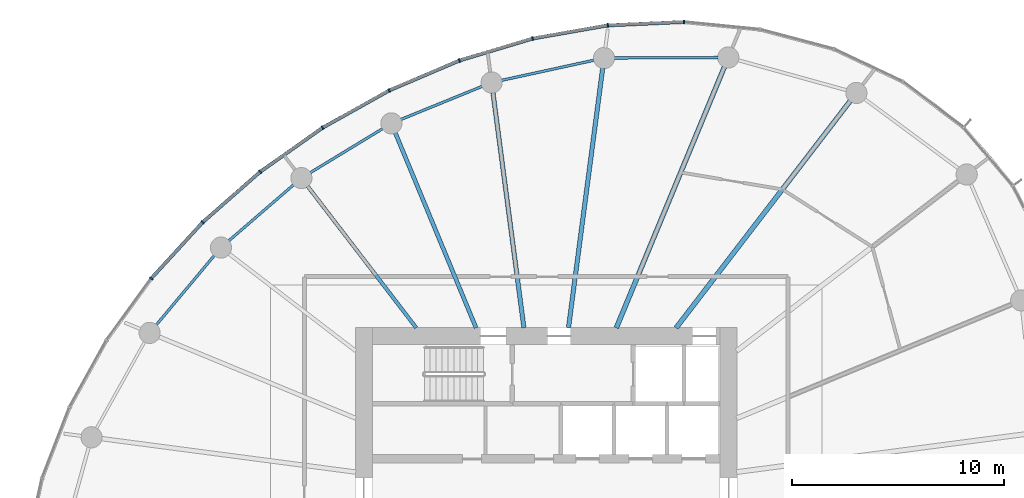
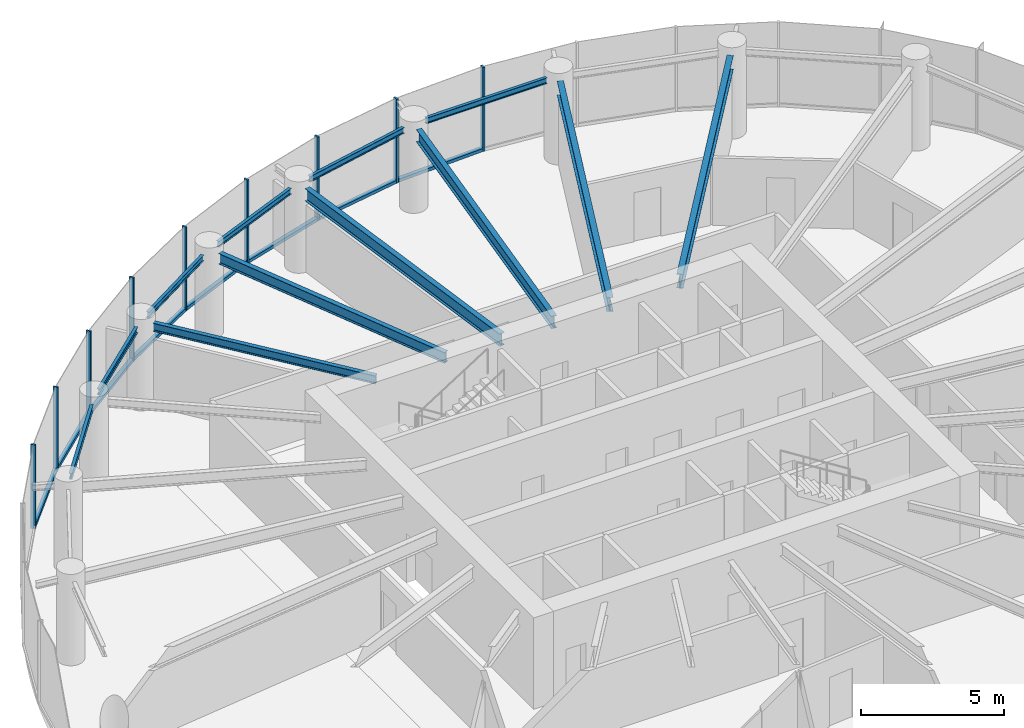
# One storey, part 5 of 14: 17 members, 12 beams, 3 elements without a shape of their own.
"""IFC4 building model written with IfcOpenShell, lengths in metres."""

from ifc_helpers import new_model, si_unit, direction, frame, origin, origin_2d, place, context, subcontext, project, spatial, rectangle, i_section, extrude, source, transform, mapped, material, layer, layer_set, material_profile, profile_set, type_object, element, aggregate, save


model = new_model("IFC4")

# Units and contexts
model_context = context("Model", 3, precision=1e-05, world=origin(), true_north=direction((0.0, 1.0)))
body_context = subcontext(model_context, "Body", "Model", "MODEL_VIEW")
ifc_project = project(units=[si_unit("LENGTHUNIT", "METRE"), si_unit("AREAUNIT", "SQUARE_METRE"), si_unit("VOLUMEUNIT", "CUBIC_METRE"), si_unit("PLANEANGLEUNIT", "RADIAN"), si_unit("MASSUNIT", "GRAM", prefix="KILO")], contexts=[model_context])

# Site, building, storey
site_placement = place(None, origin())
site = spatial("IfcSite", under=ifc_project, at=site_placement, CompositionType="ELEMENT")
building_placement = place(site_placement, origin())
building = spatial("IfcBuilding", under=site, at=building_placement, Name="Spindrift Exchange Tower", CompositionType="ELEMENT")
storey_placement = place(building_placement, frame((0.0, 0.0, 140.89990234375)))
storey = spatial("IfcBuildingStorey", under=building, at=storey_placement, Name="L33", CompositionType="ELEMENT", Elevation=140.89990234375)

# Beams
ifc_material_1 = material(Name="Steel Grade 300", Category="steel")
ifc_material_profile_1 = material_profile(ifc_material_1, i_section(OverallWidth=0.1240234375, OverallDepth=0.248046875, WebThickness=0.0048828125, FlangeThickness=0.008056640625, FilletRadius=0.011962890625, at=origin_2d()), Name="250UB25.7")
ifc_profile_set_1 = profile_set([ifc_material_profile_1], Name="Steel Grade 300")
beam_type_1 = type_object("IfcBeamType", Name="Edge Beam 250UB25.7 Steel Grade 300", PredefinedType="SPANDREL", material=ifc_profile_set_1)
shared_shape_1 = source(origin(), body_context, "Body", "SweptSolid", [
    extrude(i_section(OverallWidth=0.1240234375, OverallDepth=0.248046875, WebThickness=0.0048828125, FlangeThickness=0.008056640625, FilletRadius=0.011962890625, at=origin_2d()), origin(), (0.0, 0.0, 1.0), 4.901123046875),
])
beam_1_placement = place(storey_placement, frame((60.10693359375, 68.728759765625, 3.4560546875), z_axis=(-0.999990609444, -0.004333707747, 0.0), x_axis=(0.004333707747, -0.999990609444, 0.0)))
element("IfcBeam", 1, at=beam_1_placement, inside=storey, type_object=beam_type_1, Name="L33 edge beam E05", PredefinedType="SPANDREL", context=body_context, shape_type="MappedRepresentation", body=[
    mapped(shared_shape_1, transform((0.0, 0.0, 0.0), scale=1.0)),
])
shared_shape_2 = source(origin(), body_context, "Body", "SweptSolid", [
    extrude(i_section(OverallWidth=0.1240234375, OverallDepth=0.248046875, WebThickness=0.0048828125, FlangeThickness=0.008056640625, FilletRadius=0.011962890625, at=origin_2d()), origin(), (0.0, 0.0, 1.0), 4.464111328125),
])
beam_2_placement = place(storey_placement, frame((54.2568359375, 68.603271484375, 3.4560546875), z_axis=(-0.977095837978, -0.212799726048, 0.0), x_axis=(0.212799726048, -0.977095837978, 0.0)))
element("IfcBeam", 2, at=beam_2_placement, inside=storey, type_object=beam_type_1, Name="L33 edge beam E06", PredefinedType="SPANDREL", context=body_context, shape_type="MappedRepresentation", body=[
    mapped(shared_shape_2, transform((0.0, 0.0, 0.0), scale=1.0)),
])
shared_shape_3 = source(origin(), body_context, "Body", "SweptSolid", [
    extrude(i_section(OverallWidth=0.1240234375, OverallDepth=0.248046875, WebThickness=0.0048828125, FlangeThickness=0.008056640625, FilletRadius=0.011962890625, at=origin_2d()), origin(), (0.0, 0.0, 1.0), 4.143798828125),
])
beam_3_placement = place(storey_placement, frame((48.9814453125, 67.3701171875, 3.4560546875), z_axis=(-0.926113706975, -0.377244485385, 0.0), x_axis=(0.377244485385, -0.926113706975, 0.0)))
element("IfcBeam", 3, at=beam_3_placement, inside=storey, type_object=beam_type_1, Name="L33 edge beam E07", PredefinedType="SPANDREL", context=body_context, shape_type="MappedRepresentation", body=[
    mapped(shared_shape_3, transform((0.0, 0.0, 0.0), scale=1.0)),
])
shared_shape_4 = source(origin(), body_context, "Body", "SweptSolid", [
    extrude(i_section(OverallWidth=0.1240234375, OverallDepth=0.248046875, WebThickness=0.0048828125, FlangeThickness=0.008056640625, FilletRadius=0.011962890625, at=origin_2d()), origin(), (0.0, 0.0, 1.0), 4.00634765625),
])
beam_4_placement = place(storey_placement, frame((44.2890625, 65.376220703125, 3.4560546875), z_axis=(-0.854331495603, -0.519728482596, 0.0), x_axis=(0.519728482596, -0.854331495603, 0.0)))
element("IfcBeam", 4, at=beam_4_placement, inside=storey, type_object=beam_type_1, Name="L33 edge beam E08", PredefinedType="SPANDREL", context=body_context, shape_type="MappedRepresentation", body=[
    mapped(shared_shape_4, transform((0.0, 0.0, 0.0), scale=1.0)),
])
shared_shape_5 = source(origin(), body_context, "Body", "SweptSolid", [
    extrude(i_section(OverallWidth=0.1240234375, OverallDepth=0.248046875, WebThickness=0.0048828125, FlangeThickness=0.008056640625, FilletRadius=0.011962890625, at=origin_2d()), origin(), (0.0, 0.0, 1.0), 4.052001953125),
])
beam_5_placement = place(storey_placement, frame((40.093017578125, 62.730712890625, 3.4560546875), z_axis=(-0.756715968535, -0.65374379, 0.0), x_axis=(0.65374379, -0.756715968535, 0.0)))
element("IfcBeam", 5, at=beam_5_placement, inside=storey, type_object=beam_type_1, Name="L33 edge beam E09", PredefinedType="SPANDREL", context=body_context, shape_type="MappedRepresentation", body=[
    mapped(shared_shape_5, transform((0.0, 0.0, 0.0), scale=1.0)),
])
shared_shape_6 = source(origin(), body_context, "Body", "SweptSolid", [
    extrude(i_section(OverallWidth=0.1240234375, OverallDepth=0.248046875, WebThickness=0.0048828125, FlangeThickness=0.008056640625, FilletRadius=0.011962890625, at=origin_2d()), origin(), (0.0, 0.0, 1.0), 4.282958984375),
])
beam_6_placement = place(storey_placement, frame((36.355712890625, 59.399658203125, 3.4560546875), z_axis=(-0.641400288548, -0.767206406289, 0.0), x_axis=(0.767206406289, -0.641400288548, 0.0)))
element("IfcBeam", 6, at=beam_6_placement, inside=storey, type_object=beam_type_1, Name="L33 edge beam E10", PredefinedType="SPANDREL", context=body_context, shape_type="MappedRepresentation", body=[
    mapped(shared_shape_6, transform((0.0, 0.0, 0.0), scale=1.0)),
])
ifc_material_profile_2 = material_profile(ifc_material_1, i_section(OverallWidth=0.22802734375, OverallDepth=0.60205078125, WebThickness=0.010498046875, FlangeThickness=0.014892578125, FilletRadius=0.013916015625, at=origin_2d()), Name="610UB101")
ifc_profile_set_2 = profile_set([ifc_material_profile_2], Name="Steel Grade 300")
beam_type_2 = type_object("IfcBeamType", Name="Floor Beam 610UB101 Steel Grade 300", PredefinedType="BEAM", material=ifc_profile_set_2)
shared_shape_7 = source(origin(), body_context, "Body", "SweptSolid", [
    extrude(i_section(OverallWidth=0.22802734375, OverallDepth=0.60205078125, WebThickness=0.010498046875, FlangeThickness=0.014892578125, FilletRadius=0.013916015625, at=origin_2d()), origin(), (0.0, 0.0, 1.0), 13.480224609375),
])
beam_7_placement = place(storey_placement, frame((58.12646484375, 55.984130859375, 3.279052734375), z_axis=(0.608764179541, 0.793351229726, 0.0), x_axis=(-0.793351229726, 0.608764179541, 0.0)))
element("IfcBeam", 7, at=beam_7_placement, inside=storey, type_object=beam_type_2, Name="L33 radial beam R04A", PredefinedType="BEAM", context=body_context, shape_type="MappedRepresentation", body=[
    mapped(shared_shape_7, transform((0.0, 0.0, 0.0), scale=1.0)),
])
shared_shape_8 = source(origin(), body_context, "Body", "SweptSolid", [
    extrude(i_section(OverallWidth=0.22802734375, OverallDepth=0.60205078125, WebThickness=0.010498046875, FlangeThickness=0.014892578125, FilletRadius=0.013916015625, at=origin_2d()), origin(), (0.0, 0.0, 1.0), 13.31982421875),
])
beam_8_placement = place(storey_placement, frame((55.30615234375, 55.9814453125, 3.279052734375), z_axis=(0.382676632888, 0.923882348918, 0.0), x_axis=(-0.923882348918, 0.382676632888, 0.0)))
element("IfcBeam", 8, at=beam_8_placement, inside=storey, type_object=beam_type_2, Name="L33 radial beam R05A", PredefinedType="BEAM", context=body_context, shape_type="MappedRepresentation", body=[
    mapped(shared_shape_8, transform((0.0, 0.0, 0.0), scale=1.0)),
])
ifc_material_profile_3 = material_profile(ifc_material_1, i_section(OverallWidth=0.208984375, OverallDepth=0.528076171875, WebThickness=0.009521484375, FlangeThickness=0.01318359375, FilletRadius=0.013916015625, at=origin_2d()), Name="530UB82.0")
ifc_profile_set_3 = profile_set([ifc_material_profile_3], Name="Steel Grade 300")
beam_type_3 = type_object("IfcBeamType", Name="Floor Beam 530UB82.0 Steel Grade 300", PredefinedType="BEAM", material=ifc_profile_set_3)
shared_shape_9 = source(origin(), body_context, "Body", "SweptSolid", [
    extrude(i_section(OverallWidth=0.208984375, OverallDepth=0.528076171875, WebThickness=0.009521484375, FlangeThickness=0.01318359375, FilletRadius=0.013916015625, at=origin_2d()), origin(), (0.0, 0.0, 1.0), 12.35498046875),
])
beam_9_placement = place(storey_placement, frame((53.050537109375, 55.980224609375, 3.316162109375), z_axis=(0.130537831721, 0.991443328935, 0.0), x_axis=(-0.991443328935, 0.130537831721, 0.0)))
element("IfcBeam", 9, at=beam_9_placement, inside=storey, type_object=beam_type_3, Name="L33 radial beam R06A", PredefinedType="BEAM", context=body_context, shape_type="MappedRepresentation", body=[
    mapped(shared_shape_9, transform((0.0, 0.0, 0.0), scale=1.0)),
])
shared_shape_10 = source(origin(), body_context, "Body", "SweptSolid", [
    extrude(i_section(OverallWidth=0.208984375, OverallDepth=0.528076171875, WebThickness=0.009521484375, FlangeThickness=0.01318359375, FilletRadius=0.013916015625, at=origin_2d()), origin(), (0.0, 0.0, 1.0), 11.19091796875),
])
beam_10_placement = place(storey_placement, frame((50.949462890625, 55.980224609375, 3.316162109375), z_axis=(-0.130524489434, 0.991445085548, 0.0), x_axis=(-0.991445085548, -0.130524489434, 0.0)))
element("IfcBeam", 10, at=beam_10_placement, inside=storey, type_object=beam_type_3, Name="L33 radial beam R07A", PredefinedType="BEAM", context=body_context, shape_type="MappedRepresentation", body=[
    mapped(shared_shape_10, transform((0.0, 0.0, 0.0), scale=1.0)),
])
ifc_material_profile_4 = material_profile(ifc_material_1, i_section(OverallWidth=0.18994140625, OverallDepth=0.4541015625, WebThickness=0.008544921875, FlangeThickness=0.0126953125, FilletRadius=0.013916015625, at=origin_2d()), Name="460UB67.1")
ifc_profile_set_4 = profile_set([ifc_material_profile_4], Name="Steel Grade 300")
beam_type_4 = type_object("IfcBeamType", Name="Floor Beam 460UB67.1 Steel Grade 300", PredefinedType="BEAM", material=ifc_profile_set_4)
shared_shape_11 = source(origin(), body_context, "Body", "SweptSolid", [
    extrude(i_section(OverallWidth=0.18994140625, OverallDepth=0.4541015625, WebThickness=0.008544921875, FlangeThickness=0.0126953125, FilletRadius=0.013916015625, at=origin_2d()), origin(), (0.0, 0.0, 1.0), 9.958984375),
])
beam_11_placement = place(storey_placement, frame((48.69384765625, 55.9814453125, 3.35302734375), z_axis=(-0.382673670509, 0.923883575944, 0.0), x_axis=(-0.923883575944, -0.382673670509, 0.0)))
element("IfcBeam", 11, at=beam_11_placement, inside=storey, type_object=beam_type_4, Name="L33 radial beam R08A", PredefinedType="BEAM", context=body_context, shape_type="MappedRepresentation", body=[
    mapped(shared_shape_11, transform((0.0, 0.0, 0.0), scale=1.0)),
])
ifc_material_profile_5 = material_profile(ifc_material_1, i_section(OverallWidth=0.1708984375, OverallDepth=0.35205078125, WebThickness=0.0068359375, FlangeThickness=0.009765625, FilletRadius=0.013916015625, at=origin_2d()), Name="360UB44.7")
ifc_profile_set_5 = profile_set([ifc_material_profile_5], Name="Steel Grade 300")
beam_type_5 = type_object("IfcBeamType", Name="Floor Beam 360UB44.7 Steel Grade 300", PredefinedType="BEAM", material=ifc_profile_set_5)
shared_shape_12 = source(origin(), body_context, "Body", "SweptSolid", [
    extrude(i_section(OverallWidth=0.1708984375, OverallDepth=0.35205078125, WebThickness=0.0068359375, FlangeThickness=0.009765625, FilletRadius=0.013916015625, at=origin_2d()), origin(), (0.0, 0.0, 1.0), 8.419189453125),
])
beam_12_placement = place(storey_placement, frame((45.87353515625, 55.984130859375, 3.404052734375), z_axis=(-0.608755970582, 0.79335752866, 0.0), x_axis=(-0.79335752866, -0.608755970582, 0.0)))
element("IfcBeam", 12, at=beam_12_placement, inside=storey, type_object=beam_type_5, Name="L33 radial beam R09A", PredefinedType="BEAM", context=body_context, shape_type="MappedRepresentation", body=[
    mapped(shared_shape_12, transform((0.0, 0.0, 0.0), scale=1.0)),
])

# Curtain wall, members
ifc_material_2 = material(Name="Fritted laminated glass with bronze frame", Category="glass")
ifc_layer = layer(ifc_material_2, 0.179931640625)
ifc_layer_set = layer_set([ifc_layer], Name="ZONE 3 BRONZE FRITTED WALL")
curtain_wall_type = type_object("IfcCurtainWallType", Name="ZONE 3 BRONZE FRITTED WALL", PredefinedType="NOTDEFINED", material=ifc_layer_set)
curtain_wall_1_placement = place(storey_placement, origin())
curtain_wall_1 = element("IfcCurtainWall", 13, at=curtain_wall_1_placement, inside=storey, type_object=curtain_wall_type, Name="L33 Zone 3 Bronze Fritted Wall run 2", PredefinedType="NOTDEFINED")
ifc_material_3 = material(Name="Bronze anodised aluminium", Category="aluminium")
ifc_material_profile_6 = material_profile(ifc_material_3, rectangle(XDim=0.159912109375, YDim=0.1298828125, at=origin_2d()), Name="ZONE 3 BRONZE FRITTED WALL TRANSOM 160X130")
ifc_profile_set_6 = profile_set([ifc_material_profile_6], Name="Bronze anodised aluminium")
member_type_1 = type_object("IfcMemberType", Name="ZONE 3 BRONZE FRITTED WALL TRANSOM 160X130", PredefinedType="USERDEFINED", material=ifc_profile_set_6)
shared_shape_13 = source(origin(), body_context, "Body", "SweptSolid", [
    extrude(rectangle(XDim=0.159912109375, YDim=0.1298828125, at=origin_2d()), origin(), (0.0, 0.0, 1.0), 3.53076171875),
])
member_1_placement = place(storey_placement, frame((51.32470703125, 69.615234375, 0.065185546875), z_axis=(-0.957712018775, -0.287728498926, 0.0), x_axis=(0.287728498926, -0.957712018775, 0.0)))
member_1 = element("IfcMember", 14, at=member_1_placement, type_object=member_type_1, Name="L33 transom CW-3.8", ObjectType="TRANSOM", PredefinedType="USERDEFINED", context=body_context, shape_type="MappedRepresentation", body=[
    mapped(shared_shape_13, transform((0.0, 0.0, 0.0), scale=1.0)),
])
member_2_placement = place(storey_placement, frame((44.56689453125, 67.159912109375, 0.065185546875), z_axis=(-0.872826542896, -0.488030558485, 0.0), x_axis=(0.488030558485, -0.872826542896, 0.0)))
member_2 = element("IfcMember", 15, at=member_2_placement, type_object=member_type_1, Name="L33 transom CW-3.10", ObjectType="TRANSOM", PredefinedType="USERDEFINED", context=body_context, shape_type="MappedRepresentation", body=[
    mapped(shared_shape_13, transform((0.0, 0.0, 0.0), scale=1.0)),
])

# Curtain wall, member
curtain_wall_2_placement = place(storey_placement, origin())
curtain_wall_2 = element("IfcCurtainWall", 16, at=curtain_wall_2_placement, inside=storey, type_object=curtain_wall_type, Name="L33 Zone 3 Bronze Fritted Wall run 3", PredefinedType="NOTDEFINED")
member_3_placement = place(storey_placement, frame((35.783203125, 60.941650390625, 0.065185546875), z_axis=(-0.675558660444, -0.737306243225, 0.0), x_axis=(0.737306243225, -0.675558660444, 0.0)))
member_3 = element("IfcMember", 17, at=member_3_placement, type_object=member_type_1, Name="L33 transom CW-3.13", ObjectType="TRANSOM", PredefinedType="USERDEFINED", context=body_context, shape_type="MappedRepresentation", body=[
    mapped(shared_shape_13, transform((0.0, 0.0, 0.0), scale=1.0)),
])

# Member
shared_shape_14 = source(origin(), body_context, "Body", "SweptSolid", [
    extrude(rectangle(XDim=0.159912109375, YDim=0.1298828125, at=origin_2d()), origin(), (0.0, 0.0, 1.0), 3.531005859375),
])
member_4_placement = place(storey_placement, frame((47.877685546875, 68.57568359375, 0.065185546875), z_axis=(-0.919887281532, -0.392182851838, 0.0), x_axis=(0.392182851838, -0.919887281532, 0.0)))
member_4 = element("IfcMember", 18, at=member_4_placement, type_object=member_type_1, Name="L33 transom CW-3.9", ObjectType="TRANSOM", PredefinedType="USERDEFINED", context=body_context, shape_type="MappedRepresentation", body=[
    mapped(shared_shape_14, transform((0.0, 0.0, 0.0), scale=1.0)),
])

member_5_placement = place(storey_placement, frame((41.426025390625, 65.399658203125, 0.065185546875), z_axis=(-0.816902708883, -0.576775488574, 0.0), x_axis=(0.576775488574, -0.816902708883, 0.0)))
member_5 = element("IfcMember", 19, at=member_5_placement, type_object=member_type_1, Name="L33 transom CW-3.11", ObjectType="TRANSOM", PredefinedType="USERDEFINED", context=body_context, shape_type="MappedRepresentation", body=[
    mapped(shared_shape_14, transform((0.0, 0.0, 0.0), scale=1.0)),
])

member_6_placement = place(storey_placement, frame((38.48681640625, 63.31982421875, 0.065185546875), z_axis=(-0.751526340927, -0.659703083889, 0.0), x_axis=(0.659703083889, -0.751526340927, 0.0)))
member_6 = element("IfcMember", 20, at=member_6_placement, type_object=member_type_1, Name="L33 transom CW-3.12", ObjectType="TRANSOM", PredefinedType="USERDEFINED", context=body_context, shape_type="MappedRepresentation", body=[
    mapped(shared_shape_14, transform((0.0, 0.0, 0.0), scale=1.0)),
])

shared_shape_15 = source(origin(), body_context, "Body", "SweptSolid", [
    extrude(rectangle(XDim=0.159912109375, YDim=0.1298828125, at=origin_2d()), origin(), (0.0, 0.0, 1.0), 3.5302734375),
])
member_7_placement = place(storey_placement, frame((54.869873046875, 70.240966796875, 0.065185546875), z_axis=(-0.984977873482, -0.172680597492, 0.0), x_axis=(0.172680597492, -0.984977873482, 0.0)))
member_7 = element("IfcMember", 21, at=member_7_placement, type_object=member_type_1, Name="L33 transom CW-3.7", ObjectType="TRANSOM", PredefinedType="USERDEFINED", context=body_context, shape_type="MappedRepresentation", body=[
    mapped(shared_shape_15, transform((0.0, 0.0, 0.0), scale=1.0)),
])

# Curtain wall, member
curtain_wall_3_placement = place(storey_placement, origin())
curtain_wall_3 = element("IfcCurtainWall", 22, at=curtain_wall_3_placement, inside=storey, type_object=curtain_wall_type, Name="L33 Zone 3 Bronze Fritted Wall run 1", PredefinedType="NOTDEFINED")
ifc_material_profile_7 = material_profile(ifc_material_3, rectangle(XDim=0.070068359375, YDim=0.179931640625, at=origin_2d()), Name="ZONE 3 BRONZE FRITTED WALL MULLION 70X180")
ifc_profile_set_7 = profile_set([ifc_material_profile_7], Name="Bronze anodised aluminium")
member_type_2 = type_object("IfcMemberType", Name="ZONE 3 BRONZE FRITTED WALL MULLION 70X180", PredefinedType="MULLION", material=ifc_profile_set_7)
shared_shape_16 = source(origin(), body_context, "Body", "SweptSolid", [
    extrude(rectangle(XDim=0.070068359375, YDim=0.179931640625, at=origin_2d()), origin(), (0.0, 0.0, 1.0), 3.580078125),
])
member_8_placement = place(storey_placement, frame((58.50048828125, 70.408203125, 0.0), z_axis=(0.0, 0.0, 1.0), x_axis=(-0.999644867048, 0.026648448073, 0.0)))
member_8 = element("IfcMember", 23, at=member_8_placement, type_object=member_type_2, Name="L33 mullion CW-3.6", PredefinedType="MULLION", context=body_context, shape_type="MappedRepresentation", body=[
    mapped(shared_shape_16, transform((0.0, 0.0, 0.0), scale=1.0)),
])

# Member
member_9_placement = place(storey_placement, frame((54.904296875, 70.246826171875, 0.0), z_axis=(0.0, 0.0, 1.0), x_axis=(-0.994046553675, -0.108956179847, 0.0)))
member_9 = element("IfcMember", 24, at=member_9_placement, type_object=member_type_2, Name="L33 mullion CW-3.7", PredefinedType="MULLION", context=body_context, shape_type="MappedRepresentation", body=[
    mapped(shared_shape_16, transform((0.0, 0.0, 0.0), scale=1.0)),
])

member_10_placement = place(storey_placement, frame((51.358154296875, 69.625244140625, 0.0), z_axis=(0.0, 0.0, 1.0), x_axis=(-0.97305023316, -0.230593243065, 0.0)))
member_10 = element("IfcMember", 25, at=member_10_placement, type_object=member_type_2, Name="L33 mullion CW-3.8", PredefinedType="MULLION", context=body_context, shape_type="MappedRepresentation", body=[
    mapped(shared_shape_16, transform((0.0, 0.0, 0.0), scale=1.0)),
])

member_11_placement = place(storey_placement, frame((47.909912109375, 68.58935546875, 0.0), z_axis=(0.0, 0.0, 1.0), x_axis=(-0.940254656895, -0.340471996186, 0.0)))
member_11 = element("IfcMember", 26, at=member_11_placement, type_object=member_type_2, Name="L33 mullion CW-3.9", PredefinedType="MULLION", context=body_context, shape_type="MappedRepresentation", body=[
    mapped(shared_shape_16, transform((0.0, 0.0, 0.0), scale=1.0)),
])

member_12_placement = place(storey_placement, frame((44.597412109375, 67.177001953125, 0.0), z_axis=(0.0, 0.0, 1.0), x_axis=(-0.897638619198, -0.44073224221, 0.0)))
member_12 = element("IfcMember", 27, at=member_12_placement, type_object=member_type_2, Name="L33 mullion CW-3.10", PredefinedType="MULLION", context=body_context, shape_type="MappedRepresentation", body=[
    mapped(shared_shape_16, transform((0.0, 0.0, 0.0), scale=1.0)),
])

member_13_placement = place(storey_placement, frame((41.45458984375, 65.419921875, 0.0), z_axis=(0.0, 0.0, 1.0), x_axis=(-0.846024617188, -0.533143833418, 0.0)))
member_13 = element("IfcMember", 28, at=member_13_placement, type_object=member_type_2, Name="L33 mullion CW-3.11", PredefinedType="MULLION", context=body_context, shape_type="MappedRepresentation", body=[
    mapped(shared_shape_16, transform((0.0, 0.0, 0.0), scale=1.0)),
])

member_14_placement = place(storey_placement, frame((38.512939453125, 63.3427734375, 0.0), z_axis=(0.0, 0.0, 1.0), x_axis=(-0.785303472438, -0.619111020881, 0.0)))
member_14 = element("IfcMember", 29, at=member_14_placement, type_object=member_type_2, Name="L33 mullion CW-3.12", PredefinedType="MULLION", context=body_context, shape_type="MappedRepresentation", body=[
    mapped(shared_shape_16, transform((0.0, 0.0, 0.0), scale=1.0)),
])

aggregate(curtain_wall_1, [member_9, member_7, member_10, member_1, member_11, member_4, member_12, member_2, member_13, member_5, member_14, member_6])

member_15_placement = place(storey_placement, frame((35.806884765625, 60.96728515625, 0.0), z_axis=(0.0, 0.0, 1.0), x_axis=(-0.714610786606, -0.699522282466, 0.0)))
member_15 = element("IfcMember", 30, at=member_15_placement, type_object=member_type_2, Name="L33 mullion CW-3.13", PredefinedType="MULLION", context=body_context, shape_type="MappedRepresentation", body=[
    mapped(shared_shape_16, transform((0.0, 0.0, 0.0), scale=1.0)),
])

member_16_placement = place(storey_placement, frame((33.374267578125, 58.3125, 0.0), z_axis=(0.0, 0.0, 1.0), x_axis=(-0.63232522309, -0.774703047783, 0.0)))
member_16 = element("IfcMember", 31, at=member_16_placement, type_object=member_type_2, Name="L33 mullion CW-3.14", PredefinedType="MULLION", context=body_context, shape_type="MappedRepresentation", body=[
    mapped(shared_shape_16, transform((0.0, 0.0, 0.0), scale=1.0)),
])

aggregate(curtain_wall_2, [member_15, member_3, member_16])

shared_shape_17 = source(origin(), body_context, "Body", "SweptSolid", [
    extrude(rectangle(XDim=0.159912109375, YDim=0.1298828125, at=origin_2d()), origin(), (0.0, 0.0, 1.0), 3.529541015625),
])
member_17_placement = place(storey_placement, frame((58.465576171875, 70.406494140625, 0.065185546875), z_axis=(-0.998998131545, -0.044751906883, 0.0), x_axis=(0.044751906883, -0.998998131545, 0.0)))
member_17 = element("IfcMember", 32, at=member_17_placement, type_object=member_type_1, Name="L33 transom CW-3.6", ObjectType="TRANSOM", PredefinedType="USERDEFINED", context=body_context, shape_type="MappedRepresentation", body=[
    mapped(shared_shape_17, transform((0.0, 0.0, 0.0), scale=1.0)),
])

aggregate(curtain_wall_3, [member_8, member_17])

save(model, "model.ifc")
